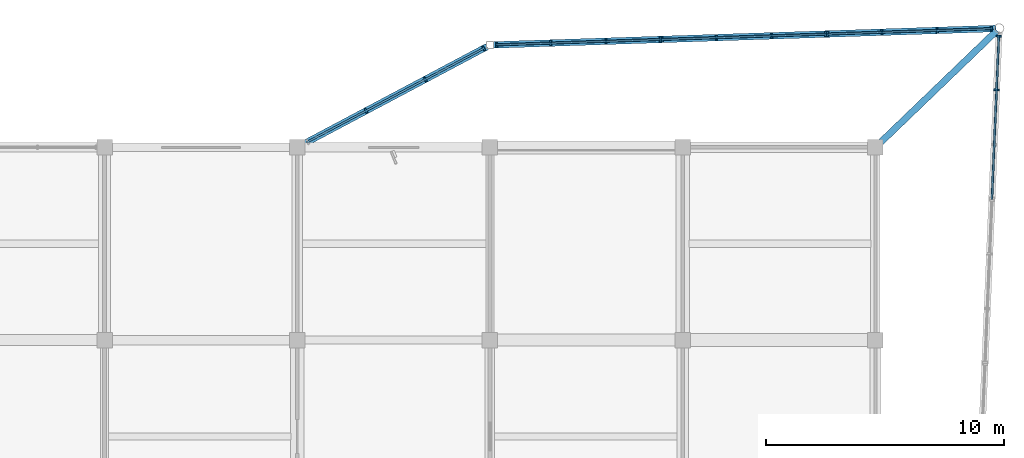
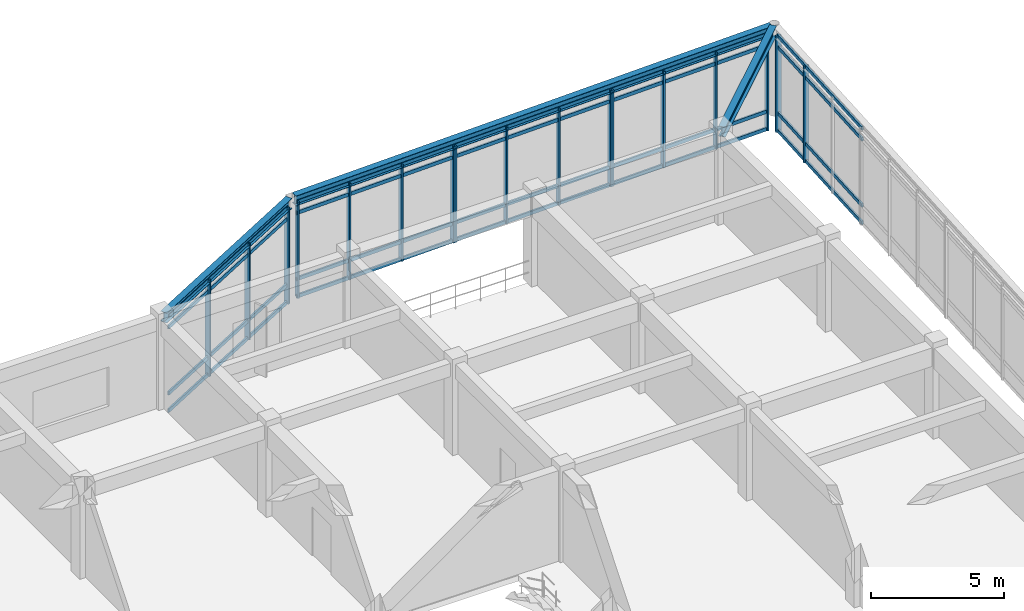
# One storey, part 22 of 42: 37 members, 3 beams, 5 elements without a shape of their own.
"""IFC4 building model written with IfcOpenShell, lengths in metres."""

from ifc_helpers import new_model, si_unit, direction, frame, origin, origin_2d, place, context, subcontext, project, spatial, rectangle, i_section, extrude, material, layer, layer_set, material_profile, profile_set, type_object, element, aggregate, save


model = new_model("IFC4")

# Units and contexts
model_context = context("Model", 3, precision=1e-05, world=origin(), true_north=direction((0.0, 1.0)))
body_context = subcontext(model_context, "Body", "Model", "MODEL_VIEW")
ifc_project = project(units=[si_unit("LENGTHUNIT", "METRE"), si_unit("AREAUNIT", "SQUARE_METRE"), si_unit("VOLUMEUNIT", "CUBIC_METRE"), si_unit("PLANEANGLEUNIT", "RADIAN"), si_unit("MASSUNIT", "GRAM", prefix="KILO")], contexts=[model_context])

# Site, building, storey
site_placement = place(None, origin())
site = spatial("IfcSite", under=ifc_project, at=site_placement, CompositionType="ELEMENT")
building_placement = place(site_placement, origin())
building = spatial("IfcBuilding", under=site, at=building_placement, Name="Vaudrelin Polytechnic", CompositionType="ELEMENT")
storey_placement = place(building_placement, frame((0.0, 0.0, 18.530029296875)))
storey = spatial("IfcBuildingStorey", under=building, at=storey_placement, Name="L04", CompositionType="ELEMENT", Elevation=18.530029296875)

# Beams
ifc_material_1 = material(Name="Steel CSA G40.21 350W", Category="steel")
ifc_material_profile_1 = material_profile(ifc_material_1, i_section(OverallWidth=0.280029296875, OverallDepth=0.462890625, WebThickness=0.0107421875, FlangeThickness=0.017333984375, FilletRadius=0.01806640625, at=origin_2d()), Name="W460x113")
ifc_profile_set_1 = profile_set([ifc_material_profile_1], Name="Steel CSA G40.21 350W")
beam_type = type_object("IfcBeamType", Name="BM-BM-W460H", PredefinedType="BEAM", material=ifc_profile_set_1)
beam_1_placement = place(storey_placement, frame((145.923583984375, 121.565673828125, 3.908447265625), z_axis=(0.883259671752, 0.468884156542, 0.0), x_axis=(-0.468884156542, 0.883259671752, 0.0)))
element("IfcBeam", 1, at=beam_1_placement, inside=storey, type_object=beam_type, Name="Sculptural edge beam L04 NE_BM_1", PredefinedType="BEAM", context=body_context, shape_type="SweptSolid", body=[
    extrude(i_section(OverallWidth=0.280029296875, OverallDepth=0.462890625, WebThickness=0.0107421875, FlangeThickness=0.017333984375, FilletRadius=0.01806640625, at=origin_2d()), origin(), (0.0, 0.0, 1.0), 8.890625),
])
beam_2_placement = place(storey_placement, frame((154.039794921875, 125.8046875, 3.908447265625), z_axis=(0.999465724625, 0.032684328046, 0.0), x_axis=(-0.032684328046, 0.999465724625, 0.0)))
element("IfcBeam", 2, at=beam_2_placement, inside=storey, type_object=beam_type, Name="Sculptural edge beam L04 NE_BM_2", PredefinedType="BEAM", context=body_context, shape_type="SweptSolid", body=[
    extrude(i_section(OverallWidth=0.280029296875, OverallDepth=0.462890625, WebThickness=0.0107421875, FlangeThickness=0.017333984375, FilletRadius=0.01806640625, at=origin_2d()), origin(), (0.0, 0.0, 1.0), 21.131591796875),
])
beam_3_placement = place(storey_placement, frame((170.200927734375, 121.596923828125, 3.908447265625), z_axis=(0.720825622612, 0.69311645615, 0.0), x_axis=(-0.69311645615, 0.720825622612, 0.0)))
element("IfcBeam", 3, at=beam_3_placement, inside=storey, type_object=beam_type, Name="Sculptural edge beam L04 NE_BM_5", PredefinedType="BEAM", context=body_context, shape_type="SweptSolid", body=[
    extrude(i_section(OverallWidth=0.280029296875, OverallDepth=0.462890625, WebThickness=0.0107421875, FlangeThickness=0.017333984375, FilletRadius=0.01806640625, at=origin_2d()), origin(), (0.0, 0.0, 1.0), 6.93408203125),
])

# Curtain wall, members
ifc_material_2 = material(Name="Thermally broken anodised aluminium AA 6063-T6 and low-e triple glazing", Category="aluminium")
ifc_layer = layer(ifc_material_2, 0.199951171875)
ifc_layer_set = layer_set([ifc_layer], Name="Thermally broken anodised aluminium AA 6063-T6 and low-e triple glazing")
curtain_wall_type = type_object("IfcCurtainWallType", Name="CW-CW-LAB", PredefinedType="USERDEFINED", material=ifc_layer_set)
curtain_wall_1_placement = place(storey_placement, origin())
curtain_wall_1 = element("IfcCurtainWall", 4, at=curtain_wall_1_placement, inside=storey, type_object=curtain_wall_type, Name="Curtain wall L04 NEP_1_0", ObjectType="CURTAIN WALL", PredefinedType="USERDEFINED")
ifc_material_3 = material(Name="Anodised aluminium AA 6063-T6", Category="aluminium")
ifc_material_profile_2 = material_profile(ifc_material_3, rectangle(XDim=0.074951171875, YDim=0.219970703125, at=origin_2d()), Name="CWM-75x220")
ifc_profile_set_2 = profile_set([ifc_material_profile_2], Name="Anodised aluminium AA 6063-T6")
member_type_1 = type_object("IfcMemberType", Name="MEM-CWM-220", PredefinedType="MULLION", material=ifc_profile_set_2)
member_1_placement = place(storey_placement, frame((148.69091796875, 123.03466796875, -0.630126953125), z_axis=(0.0, 0.0, 1.0), x_axis=(0.883255715395, 0.468891609246, 0.0)))
member_1 = element("IfcMember", 5, at=member_1_placement, type_object=member_type_1, Name="NEP_1_0 mullion 2", PredefinedType="MULLION", context=body_context, shape_type="SweptSolid", body=[
    extrude(rectangle(XDim=0.074951171875, YDim=0.219970703125, at=origin_2d()), origin(), (0.0, 0.0, 1.0), 4.440185546875),
])
member_2_placement = place(storey_placement, frame((151.181640625, 124.35693359375, -0.630126953125), z_axis=(0.0, 0.0, 1.0), x_axis=(0.883255715395, 0.468891609246, 0.0)))
member_2 = element("IfcMember", 6, at=member_2_placement, type_object=member_type_1, Name="NEP_1_0 mullion 3", PredefinedType="MULLION", context=body_context, shape_type="SweptSolid", body=[
    extrude(rectangle(XDim=0.074951171875, YDim=0.219970703125, at=origin_2d()), origin(), (0.0, 0.0, 1.0), 4.440185546875),
])
member_3_placement = place(storey_placement, frame((153.63720703125, 125.660400390625, -0.630126953125), z_axis=(0.0, 0.0, 1.0), x_axis=(0.883255715395, 0.468891609246, 0.0)))
member_3 = element("IfcMember", 7, at=member_3_placement, type_object=member_type_1, Name="NEP_1_0 mullion 4", PredefinedType="MULLION", context=body_context, shape_type="SweptSolid", body=[
    extrude(rectangle(XDim=0.074951171875, YDim=0.219970703125, at=origin_2d()), origin(), (0.0, 0.0, 1.0), 4.440185546875),
])

curtain_wall_2_placement = place(storey_placement, origin())
curtain_wall_2 = element("IfcCurtainWall", 8, at=curtain_wall_2_placement, inside=storey, type_object=curtain_wall_type, Name="Curtain wall L04 NEP_2_0", ObjectType="CURTAIN WALL", PredefinedType="USERDEFINED")
member_4_placement = place(storey_placement, frame((154.177490234375, 125.80908203125, -0.630126953125), z_axis=(0.0, 0.0, 1.0), x_axis=(0.999465454284, 0.032692593862, 0.0)))
member_4 = element("IfcMember", 9, at=member_4_placement, type_object=member_type_1, Name="NEP_2_0 mullion 1", PredefinedType="MULLION", context=body_context, shape_type="SweptSolid", body=[
    extrude(rectangle(XDim=0.074951171875, YDim=0.219970703125, at=origin_2d()), origin(), (0.0, 0.0, 1.0), 4.440185546875),
])
member_5_placement = place(storey_placement, frame((156.456787109375, 125.8837890625, -0.630126953125), z_axis=(0.0, 0.0, 1.0), x_axis=(0.999465454284, 0.032692593862, 0.0)))
member_5 = element("IfcMember", 10, at=member_5_placement, type_object=member_type_1, Name="NEP_2_0 mullion 2", PredefinedType="MULLION", context=body_context, shape_type="SweptSolid", body=[
    extrude(rectangle(XDim=0.074951171875, YDim=0.219970703125, at=origin_2d()), origin(), (0.0, 0.0, 1.0), 4.440185546875),
])
member_6_placement = place(storey_placement, frame((158.776123046875, 125.95947265625, -0.630126953125), z_axis=(0.0, 0.0, 1.0), x_axis=(0.999465454284, 0.032692593862, 0.0)))
member_6 = element("IfcMember", 11, at=member_6_placement, type_object=member_type_1, Name="NEP_2_0 mullion 3", PredefinedType="MULLION", context=body_context, shape_type="SweptSolid", body=[
    extrude(rectangle(XDim=0.074951171875, YDim=0.219970703125, at=origin_2d()), origin(), (0.0, 0.0, 1.0), 4.440185546875),
])
member_7_placement = place(storey_placement, frame((161.0556640625, 126.0341796875, -0.630126953125), z_axis=(0.0, 0.0, 1.0), x_axis=(0.999465454284, 0.032692593862, 0.0)))
member_7 = element("IfcMember", 12, at=member_7_placement, type_object=member_type_1, Name="NEP_2_0 mullion 4", PredefinedType="MULLION", context=body_context, shape_type="SweptSolid", body=[
    extrude(rectangle(XDim=0.074951171875, YDim=0.219970703125, at=origin_2d()), origin(), (0.0, 0.0, 1.0), 4.440185546875),
])

curtain_wall_3_placement = place(storey_placement, origin())
curtain_wall_3 = element("IfcCurtainWall", 13, at=curtain_wall_3_placement, inside=storey, type_object=curtain_wall_type, Name="Curtain wall L04 NEP_2_1", ObjectType="CURTAIN WALL", PredefinedType="USERDEFINED")
member_8_placement = place(storey_placement, frame((161.135498046875, 126.03662109375, -0.630126953125), z_axis=(0.0, 0.0, 1.0), x_axis=(0.999465454284, 0.032692593862, 0.0)))
member_8 = element("IfcMember", 14, at=member_8_placement, type_object=member_type_1, Name="NEP_2_1 mullion 1", PredefinedType="MULLION", context=body_context, shape_type="SweptSolid", body=[
    extrude(rectangle(XDim=0.074951171875, YDim=0.219970703125, at=origin_2d()), origin(), (0.0, 0.0, 1.0), 4.440185546875),
])
member_9_placement = place(storey_placement, frame((163.4150390625, 126.111328125, -0.630126953125), z_axis=(0.0, 0.0, 1.0), x_axis=(0.999465454284, 0.032692593862, 0.0)))
member_9 = element("IfcMember", 15, at=member_9_placement, type_object=member_type_1, Name="NEP_2_1 mullion 2", PredefinedType="MULLION", context=body_context, shape_type="SweptSolid", body=[
    extrude(rectangle(XDim=0.074951171875, YDim=0.219970703125, at=origin_2d()), origin(), (0.0, 0.0, 1.0), 4.440185546875),
])
member_10_placement = place(storey_placement, frame((165.734375, 126.18701171875, -0.630126953125), z_axis=(0.0, 0.0, 1.0), x_axis=(0.999465454284, 0.032692593862, 0.0)))
member_10 = element("IfcMember", 16, at=member_10_placement, type_object=member_type_1, Name="NEP_2_1 mullion 3", PredefinedType="MULLION", context=body_context, shape_type="SweptSolid", body=[
    extrude(rectangle(XDim=0.074951171875, YDim=0.219970703125, at=origin_2d()), origin(), (0.0, 0.0, 1.0), 4.440185546875),
])
member_11_placement = place(storey_placement, frame((168.013671875, 126.26171875, -0.630126953125), z_axis=(0.0, 0.0, 1.0), x_axis=(0.999465454284, 0.032692593862, 0.0)))
member_11 = element("IfcMember", 17, at=member_11_placement, type_object=member_type_1, Name="NEP_2_1 mullion 4", PredefinedType="MULLION", context=body_context, shape_type="SweptSolid", body=[
    extrude(rectangle(XDim=0.074951171875, YDim=0.219970703125, at=origin_2d()), origin(), (0.0, 0.0, 1.0), 4.440185546875),
])

curtain_wall_4_placement = place(storey_placement, origin())
curtain_wall_4 = element("IfcCurtainWall", 18, at=curtain_wall_4_placement, inside=storey, type_object=curtain_wall_type, Name="Curtain wall L04 NEP_2_2", ObjectType="CURTAIN WALL", PredefinedType="USERDEFINED")
member_12_placement = place(storey_placement, frame((168.09375, 126.264404296875, -0.630126953125), z_axis=(0.0, 0.0, 1.0), x_axis=(0.999465454284, 0.032692593862, 0.0)))
member_12 = element("IfcMember", 19, at=member_12_placement, type_object=member_type_1, Name="NEP_2_2 mullion 1", PredefinedType="MULLION", context=body_context, shape_type="SweptSolid", body=[
    extrude(rectangle(XDim=0.074951171875, YDim=0.219970703125, at=origin_2d()), origin(), (0.0, 0.0, 1.0), 4.440185546875),
])
member_13_placement = place(storey_placement, frame((170.373046875, 126.3388671875, -0.630126953125), z_axis=(0.0, 0.0, 1.0), x_axis=(0.999465454284, 0.032692593862, 0.0)))
member_13 = element("IfcMember", 20, at=member_13_placement, type_object=member_type_1, Name="NEP_2_2 mullion 2", PredefinedType="MULLION", context=body_context, shape_type="SweptSolid", body=[
    extrude(rectangle(XDim=0.074951171875, YDim=0.219970703125, at=origin_2d()), origin(), (0.0, 0.0, 1.0), 4.440185546875),
])
member_14_placement = place(storey_placement, frame((172.6923828125, 126.414794921875, -0.630126953125), z_axis=(0.0, 0.0, 1.0), x_axis=(0.999465454284, 0.032692593862, 0.0)))
member_14 = element("IfcMember", 21, at=member_14_placement, type_object=member_type_1, Name="NEP_2_2 mullion 3", PredefinedType="MULLION", context=body_context, shape_type="SweptSolid", body=[
    extrude(rectangle(XDim=0.074951171875, YDim=0.219970703125, at=origin_2d()), origin(), (0.0, 0.0, 1.0), 4.440185546875),
])
member_15_placement = place(storey_placement, frame((174.9716796875, 126.4892578125, -0.630126953125), z_axis=(0.0, 0.0, 1.0), x_axis=(0.999465454284, 0.032692593862, 0.0)))
member_15 = element("IfcMember", 22, at=member_15_placement, type_object=member_type_1, Name="NEP_2_2 mullion 4", PredefinedType="MULLION", context=body_context, shape_type="SweptSolid", body=[
    extrude(rectangle(XDim=0.074951171875, YDim=0.219970703125, at=origin_2d()), origin(), (0.0, 0.0, 1.0), 4.440185546875),
])

curtain_wall_5_placement = place(storey_placement, origin())
curtain_wall_5 = element("IfcCurtainWall", 23, at=curtain_wall_5_placement, inside=storey, type_object=curtain_wall_type, Name="Curtain wall L04 NEP_3_0", ObjectType="CURTAIN WALL", PredefinedType="USERDEFINED")
member_16_placement = place(storey_placement, frame((175.2861328125, 126.171875, -0.630126953125), z_axis=(0.0, 0.0, 1.0), x_axis=(-0.042419882824, -0.999099871655, 0.0)))
member_16 = element("IfcMember", 24, at=member_16_placement, type_object=member_type_1, Name="NEP_3_0 mullion 1", PredefinedType="MULLION", context=body_context, shape_type="SweptSolid", body=[
    extrude(rectangle(XDim=0.074951171875, YDim=0.219970703125, at=origin_2d()), origin(), (0.0, 0.0, 1.0), 4.440185546875),
])
member_17_placement = place(storey_placement, frame((175.190185546875, 123.914794921875, -0.630126953125), z_axis=(0.0, 0.0, 1.0), x_axis=(-0.042419882824, -0.999099871655, 0.0)))
member_17 = element("IfcMember", 25, at=member_17_placement, type_object=member_type_1, Name="NEP_3_0 mullion 2", PredefinedType="MULLION", context=body_context, shape_type="SweptSolid", body=[
    extrude(rectangle(XDim=0.074951171875, YDim=0.219970703125, at=origin_2d()), origin(), (0.0, 0.0, 1.0), 4.440185546875),
])

# Member
ifc_material_profile_3 = material_profile(ifc_material_3, rectangle(XDim=0.074951171875, YDim=0.1650390625, at=origin_2d()), Name="CWT-75x165")
ifc_profile_set_3 = profile_set([ifc_material_profile_3], Name="Anodised aluminium AA 6063-T6")
member_type_2 = type_object("IfcMemberType", Name="MEM-CWT-165", PredefinedType="USERDEFINED", material=ifc_profile_set_3)
member_18_placement = place(storey_placement, frame((146.2001953125, 121.71240234375, -0.580078125), z_axis=(0.883252437045, 0.468897784654, 0.0), x_axis=(-0.468897784654, 0.883252437045, 0.0)))
member_18 = element("IfcMember", 26, at=member_18_placement, type_object=member_type_2, Name="NEP_1_0 transom 1", ObjectType="TRANSOM", PredefinedType="USERDEFINED", context=body_context, shape_type="SweptSolid", body=[
    extrude(rectangle(XDim=0.074951171875, YDim=0.1650390625, at=origin_2d()), origin(), (0.0, 0.0, 1.0), 8.459716796875),
])

member_19_placement = place(storey_placement, frame((146.2001953125, 121.71240234375, 0.219970703125), z_axis=(0.883252437045, 0.468897784654, 0.0), x_axis=(-0.468897784654, 0.883252437045, 0.0)))
member_19 = element("IfcMember", 27, at=member_19_placement, type_object=member_type_2, Name="NEP_1_0 transom 2", ObjectType="TRANSOM", PredefinedType="USERDEFINED", context=body_context, shape_type="SweptSolid", body=[
    extrude(rectangle(XDim=0.074951171875, YDim=0.1650390625, at=origin_2d()), origin(), (0.0, 0.0, 1.0), 8.459716796875),
])

member_20_placement = place(storey_placement, frame((146.2001953125, 121.71240234375, 3.260009765625), z_axis=(0.883252437045, 0.468897784654, 0.0), x_axis=(-0.468897784654, 0.883252437045, 0.0)))
member_20 = element("IfcMember", 28, at=member_20_placement, type_object=member_type_2, Name="NEP_1_0 transom 3", ObjectType="TRANSOM", PredefinedType="USERDEFINED", context=body_context, shape_type="SweptSolid", body=[
    extrude(rectangle(XDim=0.074951171875, YDim=0.1650390625, at=origin_2d()), origin(), (0.0, 0.0, 1.0), 8.459716796875),
])

member_21_placement = place(storey_placement, frame((146.2001953125, 121.71240234375, 3.760009765625), z_axis=(0.883252437045, 0.468897784654, 0.0), x_axis=(-0.468897784654, 0.883252437045, 0.0)))
member_21 = element("IfcMember", 29, at=member_21_placement, type_object=member_type_2, Name="NEP_1_0 transom 4", ObjectType="TRANSOM", PredefinedType="USERDEFINED", context=body_context, shape_type="SweptSolid", body=[
    extrude(rectangle(XDim=0.074951171875, YDim=0.1650390625, at=origin_2d()), origin(), (0.0, 0.0, 1.0), 8.459716796875),
])

aggregate(curtain_wall_1, [member_1, member_2, member_3, member_18, member_19, member_20, member_21])

member_22_placement = place(storey_placement, frame((154.137451171875, 125.807861328125, -0.580078125), z_axis=(0.999465763569, 0.032683137141, 0.0), x_axis=(-0.032683137141, 0.999465763569, 0.0)))
member_22 = element("IfcMember", 30, at=member_22_placement, type_object=member_type_2, Name="NEP_2_0 transom 1", ObjectType="TRANSOM", PredefinedType="USERDEFINED", context=body_context, shape_type="SweptSolid", body=[
    extrude(rectangle(XDim=0.074951171875, YDim=0.1650390625, at=origin_2d()), origin(), (0.0, 0.0, 1.0), 6.9619140625),
])

member_23_placement = place(storey_placement, frame((154.137451171875, 125.807861328125, 0.219970703125), z_axis=(0.999465763569, 0.032683137141, 0.0), x_axis=(-0.032683137141, 0.999465763569, 0.0)))
member_23 = element("IfcMember", 31, at=member_23_placement, type_object=member_type_2, Name="NEP_2_0 transom 2", ObjectType="TRANSOM", PredefinedType="USERDEFINED", context=body_context, shape_type="SweptSolid", body=[
    extrude(rectangle(XDim=0.074951171875, YDim=0.1650390625, at=origin_2d()), origin(), (0.0, 0.0, 1.0), 6.9619140625),
])

member_24_placement = place(storey_placement, frame((154.137451171875, 125.807861328125, 3.260009765625), z_axis=(0.999465763569, 0.032683137141, 0.0), x_axis=(-0.032683137141, 0.999465763569, 0.0)))
member_24 = element("IfcMember", 32, at=member_24_placement, type_object=member_type_2, Name="NEP_2_0 transom 3", ObjectType="TRANSOM", PredefinedType="USERDEFINED", context=body_context, shape_type="SweptSolid", body=[
    extrude(rectangle(XDim=0.074951171875, YDim=0.1650390625, at=origin_2d()), origin(), (0.0, 0.0, 1.0), 6.9619140625),
])

member_25_placement = place(storey_placement, frame((154.137451171875, 125.807861328125, 3.760009765625), z_axis=(0.999465763569, 0.032683137141, 0.0), x_axis=(-0.032683137141, 0.999465763569, 0.0)))
member_25 = element("IfcMember", 33, at=member_25_placement, type_object=member_type_2, Name="NEP_2_0 transom 4", ObjectType="TRANSOM", PredefinedType="USERDEFINED", context=body_context, shape_type="SweptSolid", body=[
    extrude(rectangle(XDim=0.074951171875, YDim=0.1650390625, at=origin_2d()), origin(), (0.0, 0.0, 1.0), 6.9619140625),
])

aggregate(curtain_wall_2, [member_4, member_5, member_6, member_7, member_22, member_23, member_24, member_25])

member_26_placement = place(storey_placement, frame((161.095703125, 126.035400390625, -0.580078125), z_axis=(0.999465726108, 0.032684282692, 0.0), x_axis=(-0.032684282692, 0.999465726108, 0.0)))
member_26 = element("IfcMember", 34, at=member_26_placement, type_object=member_type_2, Name="NEP_2_1 transom 1", ObjectType="TRANSOM", PredefinedType="USERDEFINED", context=body_context, shape_type="SweptSolid", body=[
    extrude(rectangle(XDim=0.074951171875, YDim=0.1650390625, at=origin_2d()), origin(), (0.0, 0.0, 1.0), 6.961669921875),
])

member_27_placement = place(storey_placement, frame((161.095703125, 126.035400390625, 0.219970703125), z_axis=(0.999465726108, 0.032684282692, 0.0), x_axis=(-0.032684282692, 0.999465726108, 0.0)))
member_27 = element("IfcMember", 35, at=member_27_placement, type_object=member_type_2, Name="NEP_2_1 transom 2", ObjectType="TRANSOM", PredefinedType="USERDEFINED", context=body_context, shape_type="SweptSolid", body=[
    extrude(rectangle(XDim=0.074951171875, YDim=0.1650390625, at=origin_2d()), origin(), (0.0, 0.0, 1.0), 6.961669921875),
])

member_28_placement = place(storey_placement, frame((161.095703125, 126.035400390625, 3.260009765625), z_axis=(0.999465726108, 0.032684282692, 0.0), x_axis=(-0.032684282692, 0.999465726108, 0.0)))
member_28 = element("IfcMember", 36, at=member_28_placement, type_object=member_type_2, Name="NEP_2_1 transom 3", ObjectType="TRANSOM", PredefinedType="USERDEFINED", context=body_context, shape_type="SweptSolid", body=[
    extrude(rectangle(XDim=0.074951171875, YDim=0.1650390625, at=origin_2d()), origin(), (0.0, 0.0, 1.0), 6.961669921875),
])

member_29_placement = place(storey_placement, frame((161.095703125, 126.035400390625, 3.760009765625), z_axis=(0.999465726108, 0.032684282692, 0.0), x_axis=(-0.032684282692, 0.999465726108, 0.0)))
member_29 = element("IfcMember", 37, at=member_29_placement, type_object=member_type_2, Name="NEP_2_1 transom 4", ObjectType="TRANSOM", PredefinedType="USERDEFINED", context=body_context, shape_type="SweptSolid", body=[
    extrude(rectangle(XDim=0.074951171875, YDim=0.1650390625, at=origin_2d()), origin(), (0.0, 0.0, 1.0), 6.961669921875),
])

aggregate(curtain_wall_3, [member_8, member_9, member_10, member_11, member_26, member_27, member_28, member_29])

member_30_placement = place(storey_placement, frame((168.0537109375, 126.262939453125, -0.580078125), z_axis=(0.999465726108, 0.032684282692, 0.0), x_axis=(-0.032684282692, 0.999465726108, 0.0)))
member_30 = element("IfcMember", 38, at=member_30_placement, type_object=member_type_2, Name="NEP_2_2 transom 1", ObjectType="TRANSOM", PredefinedType="USERDEFINED", context=body_context, shape_type="SweptSolid", body=[
    extrude(rectangle(XDim=0.074951171875, YDim=0.1650390625, at=origin_2d()), origin(), (0.0, 0.0, 1.0), 6.961669921875),
])

member_31_placement = place(storey_placement, frame((168.0537109375, 126.262939453125, 0.219970703125), z_axis=(0.999465726108, 0.032684282692, 0.0), x_axis=(-0.032684282692, 0.999465726108, 0.0)))
member_31 = element("IfcMember", 39, at=member_31_placement, type_object=member_type_2, Name="NEP_2_2 transom 2", ObjectType="TRANSOM", PredefinedType="USERDEFINED", context=body_context, shape_type="SweptSolid", body=[
    extrude(rectangle(XDim=0.074951171875, YDim=0.1650390625, at=origin_2d()), origin(), (0.0, 0.0, 1.0), 6.961669921875),
])

member_32_placement = place(storey_placement, frame((168.0537109375, 126.262939453125, 3.260009765625), z_axis=(0.999465726108, 0.032684282692, 0.0), x_axis=(-0.032684282692, 0.999465726108, 0.0)))
member_32 = element("IfcMember", 40, at=member_32_placement, type_object=member_type_2, Name="NEP_2_2 transom 3", ObjectType="TRANSOM", PredefinedType="USERDEFINED", context=body_context, shape_type="SweptSolid", body=[
    extrude(rectangle(XDim=0.074951171875, YDim=0.1650390625, at=origin_2d()), origin(), (0.0, 0.0, 1.0), 6.961669921875),
])

member_33_placement = place(storey_placement, frame((168.0537109375, 126.262939453125, 3.760009765625), z_axis=(0.999465726108, 0.032684282692, 0.0), x_axis=(-0.032684282692, 0.999465726108, 0.0)))
member_33 = element("IfcMember", 41, at=member_33_placement, type_object=member_type_2, Name="NEP_2_2 transom 4", ObjectType="TRANSOM", PredefinedType="USERDEFINED", context=body_context, shape_type="SweptSolid", body=[
    extrude(rectangle(XDim=0.074951171875, YDim=0.1650390625, at=origin_2d()), origin(), (0.0, 0.0, 1.0), 6.961669921875),
])

aggregate(curtain_wall_4, [member_12, member_13, member_14, member_15, member_30, member_31, member_32, member_33])

member_34_placement = place(storey_placement, frame((175.287841796875, 126.2119140625, -0.580078125), z_axis=(-0.042437291332, -0.999099132371, 0.0), x_axis=(0.999099132371, -0.042437291332, 0.0)))
member_34 = element("IfcMember", 42, at=member_34_placement, type_object=member_type_2, Name="NEP_3_0 transom 1", ObjectType="TRANSOM", PredefinedType="USERDEFINED", context=body_context, shape_type="SweptSolid", body=[
    extrude(rectangle(XDim=0.074951171875, YDim=0.1650390625, at=origin_2d()), origin(), (0.0, 0.0, 1.0), 6.897705078125),
])

member_35_placement = place(storey_placement, frame((175.287841796875, 126.2119140625, 0.219970703125), z_axis=(-0.042437291332, -0.999099132371, 0.0), x_axis=(0.999099132371, -0.042437291332, 0.0)))
member_35 = element("IfcMember", 43, at=member_35_placement, type_object=member_type_2, Name="NEP_3_0 transom 2", ObjectType="TRANSOM", PredefinedType="USERDEFINED", context=body_context, shape_type="SweptSolid", body=[
    extrude(rectangle(XDim=0.074951171875, YDim=0.1650390625, at=origin_2d()), origin(), (0.0, 0.0, 1.0), 6.897705078125),
])

member_36_placement = place(storey_placement, frame((175.287841796875, 126.2119140625, 3.260009765625), z_axis=(-0.042437291332, -0.999099132371, 0.0), x_axis=(0.999099132371, -0.042437291332, 0.0)))
member_36 = element("IfcMember", 44, at=member_36_placement, type_object=member_type_2, Name="NEP_3_0 transom 3", ObjectType="TRANSOM", PredefinedType="USERDEFINED", context=body_context, shape_type="SweptSolid", body=[
    extrude(rectangle(XDim=0.074951171875, YDim=0.1650390625, at=origin_2d()), origin(), (0.0, 0.0, 1.0), 6.897705078125),
])

member_37_placement = place(storey_placement, frame((175.287841796875, 126.2119140625, 3.760009765625), z_axis=(-0.042437291332, -0.999099132371, 0.0), x_axis=(0.999099132371, -0.042437291332, 0.0)))
member_37 = element("IfcMember", 45, at=member_37_placement, type_object=member_type_2, Name="NEP_3_0 transom 4", ObjectType="TRANSOM", PredefinedType="USERDEFINED", context=body_context, shape_type="SweptSolid", body=[
    extrude(rectangle(XDim=0.074951171875, YDim=0.1650390625, at=origin_2d()), origin(), (0.0, 0.0, 1.0), 6.897705078125),
])

aggregate(curtain_wall_5, [member_16, member_17, member_34, member_35, member_36, member_37])

save(model, "model.ifc")
